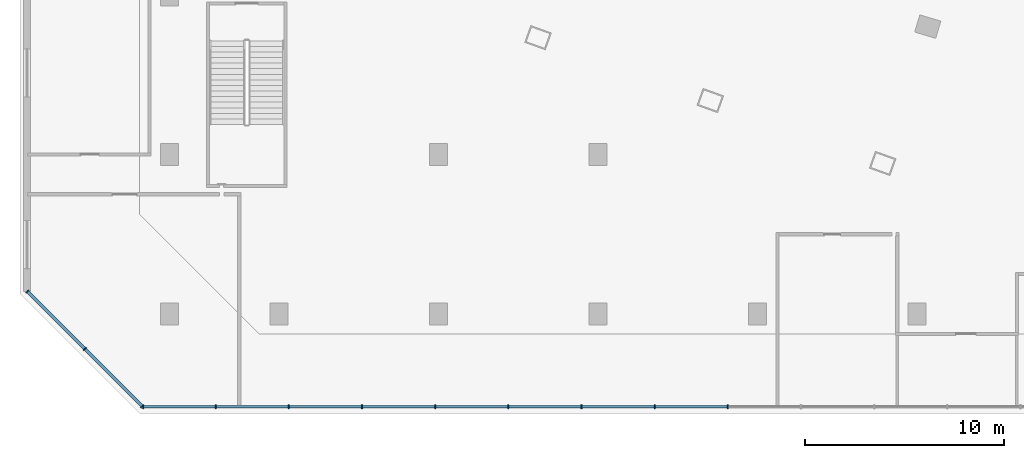
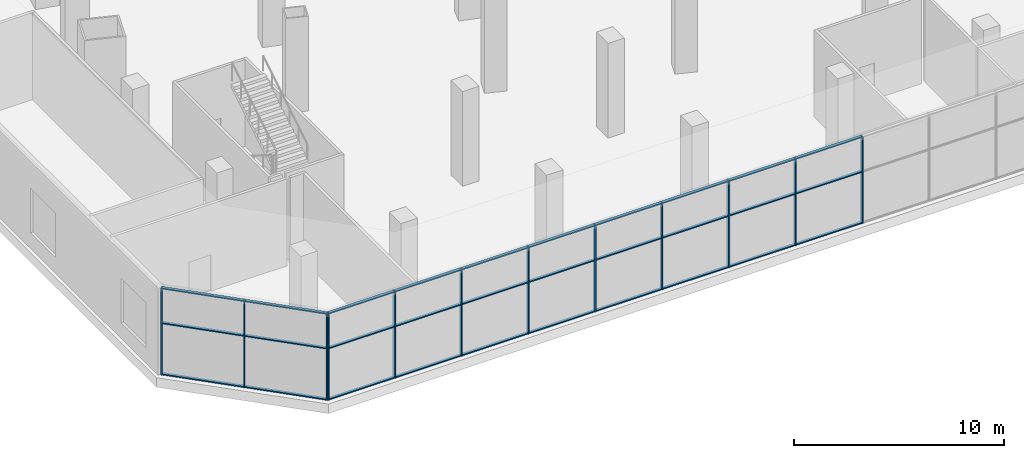
# One storey, part 2 of 26: 42 members, 2 elements without a shape of their own.
"""IFC4 building model written with IfcOpenShell, lengths in metres."""

from ifc_helpers import new_model, si_unit, direction, frame, origin, origin_2d, place, context, subcontext, project, spatial, rectangle, extrude, material, layer, layer_set, material_profile, profile_set, type_object, element, aggregate, save


model = new_model("IFC4")

# Units and contexts
model_context = context("Model", 3, precision=1e-05, world=origin(), true_north=direction((0.0, 1.0)))
body_context = subcontext(model_context, "Body", "Model", "MODEL_VIEW")
ifc_project = project(units=[si_unit("LENGTHUNIT", "METRE"), si_unit("AREAUNIT", "SQUARE_METRE"), si_unit("VOLUMEUNIT", "CUBIC_METRE"), si_unit("PLANEANGLEUNIT", "RADIAN"), si_unit("MASSUNIT", "GRAM", prefix="KILO")], contexts=[model_context])

# Site, building, storey
site_placement = place(None, origin())
site = spatial("IfcSite", under=ifc_project, at=site_placement, CompositionType="ELEMENT")
building_placement = place(site_placement, origin())
building = spatial("IfcBuilding", under=site, at=building_placement, Name="Alderwake Tower", CompositionType="ELEMENT")
storey_placement = place(building_placement, frame((0.0, 0.0, 8.0)))
storey = spatial("IfcBuildingStorey", under=building, at=storey_placement, Name="L01", CompositionType="ELEMENT", Elevation=8.0)

# Curtain wall, members
ifc_material_1 = material(Name="Bronze tinted glass in aluminium frame", Category="aluminium")
ifc_layer = layer(ifc_material_1, 0.25)
ifc_layer_set = layer_set([ifc_layer], Name="Curtain wall CW1 podium shopfront")
curtain_wall_type = type_object("IfcCurtainWallType", Name="Curtain wall CW1 podium shopfront", PredefinedType="NOTDEFINED", material=ifc_layer_set)
curtain_wall_1_placement = place(storey_placement, origin())
curtain_wall_1 = element("IfcCurtainWall", 1, at=curtain_wall_1_placement, inside=storey, type_object=curtain_wall_type, Name="Curtain wall 1", PredefinedType="NOTDEFINED")
ifc_material_2 = material(Name="Aluminium bronze anodised", Category="aluminium")
ifc_material_profile_1 = material_profile(ifc_material_2, rectangle(XDim=0.199951171875, YDim=0.06005859375, at=origin_2d()), Name="Mullion MUA 60x200")
ifc_profile_set_1 = profile_set([ifc_material_profile_1], Name="Aluminium bronze anodised")
member_type_1 = type_object("IfcMemberType", Name="Mullion MUA 60x200", PredefinedType="MULLION", material=ifc_profile_set_1)
member_1_placement = place(storey_placement, frame((9.175048828125, 3.35009765625, 0.0), z_axis=(0.0, 0.0, 1.0), x_axis=(0.0, 1.0, 0.0)))
member_1 = element("IfcMember", 2, at=member_1_placement, type_object=member_type_1, Name="CW.01 mullion 1", PredefinedType="MULLION", context=body_context, shape_type="SweptSolid", body=[
    extrude(rectangle(XDim=0.199951171875, YDim=0.06005859375, at=origin_2d()), origin(), (0.0, 0.0, 1.0), 5.050048828125),
])
member_2_placement = place(storey_placement, frame((12.814697265625, 3.35009765625, 0.0), z_axis=(0.0, 0.0, 1.0), x_axis=(0.0, 1.0, 0.0)))
member_2 = element("IfcMember", 3, at=member_2_placement, type_object=member_type_1, Name="CW.01 mullion 2", PredefinedType="MULLION", context=body_context, shape_type="SweptSolid", body=[
    extrude(rectangle(XDim=0.199951171875, YDim=0.06005859375, at=origin_2d()), origin(), (0.0, 0.0, 1.0), 5.050048828125),
])
member_3_placement = place(storey_placement, frame((16.484375, 3.35009765625, 0.0), z_axis=(0.0, 0.0, 1.0), x_axis=(0.0, 1.0, 0.0)))
member_3 = element("IfcMember", 4, at=member_3_placement, type_object=member_type_1, Name="CW.01 mullion 3", PredefinedType="MULLION", context=body_context, shape_type="SweptSolid", body=[
    extrude(rectangle(XDim=0.199951171875, YDim=0.06005859375, at=origin_2d()), origin(), (0.0, 0.0, 1.0), 5.050048828125),
])
member_4_placement = place(storey_placement, frame((20.154296875, 3.35009765625, 0.0), z_axis=(0.0, 0.0, 1.0), x_axis=(0.0, 1.0, 0.0)))
member_4 = element("IfcMember", 5, at=member_4_placement, type_object=member_type_1, Name="CW.01 mullion 4", PredefinedType="MULLION", context=body_context, shape_type="SweptSolid", body=[
    extrude(rectangle(XDim=0.199951171875, YDim=0.06005859375, at=origin_2d()), origin(), (0.0, 0.0, 1.0), 5.050048828125),
])
member_5_placement = place(storey_placement, frame((23.823974609375, 3.35009765625, 0.0), z_axis=(0.0, 0.0, 1.0), x_axis=(0.0, 1.0, 0.0)))
member_5 = element("IfcMember", 6, at=member_5_placement, type_object=member_type_1, Name="CW.01 mullion 5", PredefinedType="MULLION", context=body_context, shape_type="SweptSolid", body=[
    extrude(rectangle(XDim=0.199951171875, YDim=0.06005859375, at=origin_2d()), origin(), (0.0, 0.0, 1.0), 5.050048828125),
])
member_6_placement = place(storey_placement, frame((27.49365234375, 3.35009765625, 0.0), z_axis=(0.0, 0.0, 1.0), x_axis=(0.0, 1.0, 0.0)))
member_6 = element("IfcMember", 7, at=member_6_placement, type_object=member_type_1, Name="CW.01 mullion 6", PredefinedType="MULLION", context=body_context, shape_type="SweptSolid", body=[
    extrude(rectangle(XDim=0.199951171875, YDim=0.06005859375, at=origin_2d()), origin(), (0.0, 0.0, 1.0), 5.050048828125),
])
member_7_placement = place(storey_placement, frame((31.163330078125, 3.35009765625, 0.0), z_axis=(0.0, 0.0, 1.0), x_axis=(0.0, 1.0, 0.0)))
member_7 = element("IfcMember", 8, at=member_7_placement, type_object=member_type_1, Name="CW.01 mullion 7", PredefinedType="MULLION", context=body_context, shape_type="SweptSolid", body=[
    extrude(rectangle(XDim=0.199951171875, YDim=0.06005859375, at=origin_2d()), origin(), (0.0, 0.0, 1.0), 5.050048828125),
])
member_8_placement = place(storey_placement, frame((34.833251953125, 3.35009765625, 0.0), z_axis=(0.0, 0.0, 1.0), x_axis=(0.0, 1.0, 0.0)))
member_8 = element("IfcMember", 9, at=member_8_placement, type_object=member_type_1, Name="CW.01 mullion 8", PredefinedType="MULLION", context=body_context, shape_type="SweptSolid", body=[
    extrude(rectangle(XDim=0.199951171875, YDim=0.06005859375, at=origin_2d()), origin(), (0.0, 0.0, 1.0), 5.050048828125),
])
member_9_placement = place(storey_placement, frame((38.5029296875, 3.35009765625, 0.0), z_axis=(0.0, 0.0, 1.0), x_axis=(0.0, 1.0, 0.0)))
member_9 = element("IfcMember", 10, at=member_9_placement, type_object=member_type_1, Name="CW.01 mullion 9", PredefinedType="MULLION", context=body_context, shape_type="SweptSolid", body=[
    extrude(rectangle(XDim=0.199951171875, YDim=0.06005859375, at=origin_2d()), origin(), (0.0, 0.0, 1.0), 5.050048828125),
])

curtain_wall_2_placement = place(storey_placement, origin())
curtain_wall_2 = element("IfcCurtainWall", 11, at=curtain_wall_2_placement, inside=storey, type_object=curtain_wall_type, Name="Curtain wall 17", PredefinedType="NOTDEFINED")
member_10_placement = place(storey_placement, frame((3.37109375, 9.123779296875, 0.0), z_axis=(0.0, 0.0, 1.0), x_axis=(0.707106781187, 0.707106781187, 0.0)))
member_10 = element("IfcMember", 12, at=member_10_placement, type_object=member_type_1, Name="CW.17 mullion 1", PredefinedType="MULLION", context=body_context, shape_type="SweptSolid", body=[
    extrude(rectangle(XDim=0.199951171875, YDim=0.06005859375, at=origin_2d()), origin(), (0.0, 0.0, 1.0), 5.050048828125),
])
member_11_placement = place(storey_placement, frame((6.252685546875, 6.2421875, 0.0), z_axis=(0.0, 0.0, 1.0), x_axis=(0.707106781187, 0.707106781187, 0.0)))
member_11 = element("IfcMember", 13, at=member_11_placement, type_object=member_type_1, Name="CW.17 mullion 2", PredefinedType="MULLION", context=body_context, shape_type="SweptSolid", body=[
    extrude(rectangle(XDim=0.199951171875, YDim=0.06005859375, at=origin_2d()), origin(), (0.0, 0.0, 1.0), 5.050048828125),
])
member_12_placement = place(storey_placement, frame((9.13427734375, 3.360595703125, 0.0), z_axis=(0.0, 0.0, 1.0), x_axis=(0.707106781187, 0.707106781187, 0.0)))
member_12 = element("IfcMember", 14, at=member_12_placement, type_object=member_type_1, Name="CW.17 mullion 3", PredefinedType="MULLION", context=body_context, shape_type="SweptSolid", body=[
    extrude(rectangle(XDim=0.199951171875, YDim=0.06005859375, at=origin_2d()), origin(), (0.0, 0.0, 1.0), 5.050048828125),
])

# Member
ifc_material_3 = material(Name="Aluminium bronze anodised", Category="aluminium")
ifc_material_profile_2 = material_profile(ifc_material_3, rectangle(XDim=0.159912109375, YDim=0.06005859375, at=origin_2d()), Name="Transom TRA 60x160")
ifc_profile_set_2 = profile_set([ifc_material_profile_2], Name="Aluminium bronze anodised")
member_type_2 = type_object("IfcMemberType", Name="Transom TRA 60x160", PredefinedType="USERDEFINED", material=ifc_profile_set_2)
member_13_placement = place(storey_placement, frame((9.205078125, 3.35009765625, 0.030029296875), z_axis=(1.0, 0.0, 0.0), x_axis=(0.0, 1.0, 0.0)))
member_13 = element("IfcMember", 15, at=member_13_placement, type_object=member_type_2, Name="CW.01 transom 1.1", ObjectType="TRANSOM", PredefinedType="USERDEFINED", context=body_context, shape_type="SweptSolid", body=[
    extrude(rectangle(XDim=0.159912109375, YDim=0.06005859375, at=origin_2d()), origin(), (0.0, 0.0, 1.0), 3.57958984375),
])

member_14_placement = place(storey_placement, frame((9.205078125, 3.35009765625, 3.0), z_axis=(1.0, 0.0, 0.0), x_axis=(0.0, 1.0, 0.0)))
member_14 = element("IfcMember", 16, at=member_14_placement, type_object=member_type_2, Name="CW.01 transom 1.2", ObjectType="TRANSOM", PredefinedType="USERDEFINED", context=body_context, shape_type="SweptSolid", body=[
    extrude(rectangle(XDim=0.159912109375, YDim=0.06005859375, at=origin_2d()), origin(), (0.0, 0.0, 1.0), 3.57958984375),
])

member_15_placement = place(storey_placement, frame((9.205078125, 3.35009765625, 5.02001953125), z_axis=(1.0, 0.0, 0.0), x_axis=(0.0, 1.0, 0.0)))
member_15 = element("IfcMember", 17, at=member_15_placement, type_object=member_type_2, Name="CW.01 transom 1.3", ObjectType="TRANSOM", PredefinedType="USERDEFINED", context=body_context, shape_type="SweptSolid", body=[
    extrude(rectangle(XDim=0.159912109375, YDim=0.06005859375, at=origin_2d()), origin(), (0.0, 0.0, 1.0), 3.57958984375),
])

member_16_placement = place(storey_placement, frame((12.8447265625, 3.35009765625, 0.030029296875), z_axis=(1.0, 0.0, 0.0), x_axis=(0.0, 1.0, 0.0)))
member_16 = element("IfcMember", 18, at=member_16_placement, type_object=member_type_2, Name="CW.01 transom 2.1", ObjectType="TRANSOM", PredefinedType="USERDEFINED", context=body_context, shape_type="SweptSolid", body=[
    extrude(rectangle(XDim=0.159912109375, YDim=0.06005859375, at=origin_2d()), origin(), (0.0, 0.0, 1.0), 3.60986328125),
])

member_17_placement = place(storey_placement, frame((12.8447265625, 3.35009765625, 3.0), z_axis=(1.0, 0.0, 0.0), x_axis=(0.0, 1.0, 0.0)))
member_17 = element("IfcMember", 19, at=member_17_placement, type_object=member_type_2, Name="CW.01 transom 2.2", ObjectType="TRANSOM", PredefinedType="USERDEFINED", context=body_context, shape_type="SweptSolid", body=[
    extrude(rectangle(XDim=0.159912109375, YDim=0.06005859375, at=origin_2d()), origin(), (0.0, 0.0, 1.0), 3.60986328125),
])

member_18_placement = place(storey_placement, frame((12.8447265625, 3.35009765625, 5.02001953125), z_axis=(1.0, 0.0, 0.0), x_axis=(0.0, 1.0, 0.0)))
member_18 = element("IfcMember", 20, at=member_18_placement, type_object=member_type_2, Name="CW.01 transom 2.3", ObjectType="TRANSOM", PredefinedType="USERDEFINED", context=body_context, shape_type="SweptSolid", body=[
    extrude(rectangle(XDim=0.159912109375, YDim=0.06005859375, at=origin_2d()), origin(), (0.0, 0.0, 1.0), 3.60986328125),
])

member_19_placement = place(storey_placement, frame((16.514404296875, 3.35009765625, 0.030029296875), z_axis=(1.0, 0.0, 0.0), x_axis=(0.0, 1.0, 0.0)))
member_19 = element("IfcMember", 21, at=member_19_placement, type_object=member_type_2, Name="CW.01 transom 3.1", ObjectType="TRANSOM", PredefinedType="USERDEFINED", context=body_context, shape_type="SweptSolid", body=[
    extrude(rectangle(XDim=0.159912109375, YDim=0.06005859375, at=origin_2d()), origin(), (0.0, 0.0, 1.0), 3.60986328125),
])

member_20_placement = place(storey_placement, frame((16.514404296875, 3.35009765625, 3.0), z_axis=(1.0, 0.0, 0.0), x_axis=(0.0, 1.0, 0.0)))
member_20 = element("IfcMember", 22, at=member_20_placement, type_object=member_type_2, Name="CW.01 transom 3.2", ObjectType="TRANSOM", PredefinedType="USERDEFINED", context=body_context, shape_type="SweptSolid", body=[
    extrude(rectangle(XDim=0.159912109375, YDim=0.06005859375, at=origin_2d()), origin(), (0.0, 0.0, 1.0), 3.60986328125),
])

member_21_placement = place(storey_placement, frame((16.514404296875, 3.35009765625, 5.02001953125), z_axis=(1.0, 0.0, 0.0), x_axis=(0.0, 1.0, 0.0)))
member_21 = element("IfcMember", 23, at=member_21_placement, type_object=member_type_2, Name="CW.01 transom 3.3", ObjectType="TRANSOM", PredefinedType="USERDEFINED", context=body_context, shape_type="SweptSolid", body=[
    extrude(rectangle(XDim=0.159912109375, YDim=0.06005859375, at=origin_2d()), origin(), (0.0, 0.0, 1.0), 3.60986328125),
])

member_22_placement = place(storey_placement, frame((20.184326171875, 3.35009765625, 0.030029296875), z_axis=(1.0, 0.0, 0.0), x_axis=(0.0, 1.0, 0.0)))
member_22 = element("IfcMember", 24, at=member_22_placement, type_object=member_type_2, Name="CW.01 transom 4.1", ObjectType="TRANSOM", PredefinedType="USERDEFINED", context=body_context, shape_type="SweptSolid", body=[
    extrude(rectangle(XDim=0.159912109375, YDim=0.06005859375, at=origin_2d()), origin(), (0.0, 0.0, 1.0), 3.609619140625),
])

member_23_placement = place(storey_placement, frame((20.184326171875, 3.35009765625, 3.0), z_axis=(1.0, 0.0, 0.0), x_axis=(0.0, 1.0, 0.0)))
member_23 = element("IfcMember", 25, at=member_23_placement, type_object=member_type_2, Name="CW.01 transom 4.2", ObjectType="TRANSOM", PredefinedType="USERDEFINED", context=body_context, shape_type="SweptSolid", body=[
    extrude(rectangle(XDim=0.159912109375, YDim=0.06005859375, at=origin_2d()), origin(), (0.0, 0.0, 1.0), 3.609619140625),
])

member_24_placement = place(storey_placement, frame((20.184326171875, 3.35009765625, 5.02001953125), z_axis=(1.0, 0.0, 0.0), x_axis=(0.0, 1.0, 0.0)))
member_24 = element("IfcMember", 26, at=member_24_placement, type_object=member_type_2, Name="CW.01 transom 4.3", ObjectType="TRANSOM", PredefinedType="USERDEFINED", context=body_context, shape_type="SweptSolid", body=[
    extrude(rectangle(XDim=0.159912109375, YDim=0.06005859375, at=origin_2d()), origin(), (0.0, 0.0, 1.0), 3.609619140625),
])

member_25_placement = place(storey_placement, frame((23.85400390625, 3.35009765625, 0.030029296875), z_axis=(1.0, 0.0, 0.0), x_axis=(0.0, 1.0, 0.0)))
member_25 = element("IfcMember", 27, at=member_25_placement, type_object=member_type_2, Name="CW.01 transom 5.1", ObjectType="TRANSOM", PredefinedType="USERDEFINED", context=body_context, shape_type="SweptSolid", body=[
    extrude(rectangle(XDim=0.159912109375, YDim=0.06005859375, at=origin_2d()), origin(), (0.0, 0.0, 1.0), 3.609619140625),
])

member_26_placement = place(storey_placement, frame((23.85400390625, 3.35009765625, 3.0), z_axis=(1.0, 0.0, 0.0), x_axis=(0.0, 1.0, 0.0)))
member_26 = element("IfcMember", 28, at=member_26_placement, type_object=member_type_2, Name="CW.01 transom 5.2", ObjectType="TRANSOM", PredefinedType="USERDEFINED", context=body_context, shape_type="SweptSolid", body=[
    extrude(rectangle(XDim=0.159912109375, YDim=0.06005859375, at=origin_2d()), origin(), (0.0, 0.0, 1.0), 3.609619140625),
])

member_27_placement = place(storey_placement, frame((23.85400390625, 3.35009765625, 5.02001953125), z_axis=(1.0, 0.0, 0.0), x_axis=(0.0, 1.0, 0.0)))
member_27 = element("IfcMember", 29, at=member_27_placement, type_object=member_type_2, Name="CW.01 transom 5.3", ObjectType="TRANSOM", PredefinedType="USERDEFINED", context=body_context, shape_type="SweptSolid", body=[
    extrude(rectangle(XDim=0.159912109375, YDim=0.06005859375, at=origin_2d()), origin(), (0.0, 0.0, 1.0), 3.609619140625),
])

member_28_placement = place(storey_placement, frame((27.523681640625, 3.35009765625, 0.030029296875), z_axis=(1.0, 0.0, 0.0), x_axis=(0.0, 1.0, 0.0)))
member_28 = element("IfcMember", 30, at=member_28_placement, type_object=member_type_2, Name="CW.01 transom 6.1", ObjectType="TRANSOM", PredefinedType="USERDEFINED", context=body_context, shape_type="SweptSolid", body=[
    extrude(rectangle(XDim=0.159912109375, YDim=0.06005859375, at=origin_2d()), origin(), (0.0, 0.0, 1.0), 3.609619140625),
])

member_29_placement = place(storey_placement, frame((27.523681640625, 3.35009765625, 3.0), z_axis=(1.0, 0.0, 0.0), x_axis=(0.0, 1.0, 0.0)))
member_29 = element("IfcMember", 31, at=member_29_placement, type_object=member_type_2, Name="CW.01 transom 6.2", ObjectType="TRANSOM", PredefinedType="USERDEFINED", context=body_context, shape_type="SweptSolid", body=[
    extrude(rectangle(XDim=0.159912109375, YDim=0.06005859375, at=origin_2d()), origin(), (0.0, 0.0, 1.0), 3.609619140625),
])

member_30_placement = place(storey_placement, frame((27.523681640625, 3.35009765625, 5.02001953125), z_axis=(1.0, 0.0, 0.0), x_axis=(0.0, 1.0, 0.0)))
member_30 = element("IfcMember", 32, at=member_30_placement, type_object=member_type_2, Name="CW.01 transom 6.3", ObjectType="TRANSOM", PredefinedType="USERDEFINED", context=body_context, shape_type="SweptSolid", body=[
    extrude(rectangle(XDim=0.159912109375, YDim=0.06005859375, at=origin_2d()), origin(), (0.0, 0.0, 1.0), 3.609619140625),
])

member_31_placement = place(storey_placement, frame((31.193359375, 3.35009765625, 0.030029296875), z_axis=(1.0, 0.0, 0.0), x_axis=(0.0, 1.0, 0.0)))
member_31 = element("IfcMember", 33, at=member_31_placement, type_object=member_type_2, Name="CW.01 transom 7.1", ObjectType="TRANSOM", PredefinedType="USERDEFINED", context=body_context, shape_type="SweptSolid", body=[
    extrude(rectangle(XDim=0.159912109375, YDim=0.06005859375, at=origin_2d()), origin(), (0.0, 0.0, 1.0), 3.60986328125),
])

member_32_placement = place(storey_placement, frame((31.193359375, 3.35009765625, 3.0), z_axis=(1.0, 0.0, 0.0), x_axis=(0.0, 1.0, 0.0)))
member_32 = element("IfcMember", 34, at=member_32_placement, type_object=member_type_2, Name="CW.01 transom 7.2", ObjectType="TRANSOM", PredefinedType="USERDEFINED", context=body_context, shape_type="SweptSolid", body=[
    extrude(rectangle(XDim=0.159912109375, YDim=0.06005859375, at=origin_2d()), origin(), (0.0, 0.0, 1.0), 3.60986328125),
])

member_33_placement = place(storey_placement, frame((31.193359375, 3.35009765625, 5.02001953125), z_axis=(1.0, 0.0, 0.0), x_axis=(0.0, 1.0, 0.0)))
member_33 = element("IfcMember", 35, at=member_33_placement, type_object=member_type_2, Name="CW.01 transom 7.3", ObjectType="TRANSOM", PredefinedType="USERDEFINED", context=body_context, shape_type="SweptSolid", body=[
    extrude(rectangle(XDim=0.159912109375, YDim=0.06005859375, at=origin_2d()), origin(), (0.0, 0.0, 1.0), 3.60986328125),
])

member_34_placement = place(storey_placement, frame((34.863037109375, 3.35009765625, 0.030029296875), z_axis=(1.0, 0.0, 0.0), x_axis=(0.0, 1.0, 0.0)))
member_34 = element("IfcMember", 36, at=member_34_placement, type_object=member_type_2, Name="CW.01 transom 8.1", ObjectType="TRANSOM", PredefinedType="USERDEFINED", context=body_context, shape_type="SweptSolid", body=[
    extrude(rectangle(XDim=0.159912109375, YDim=0.06005859375, at=origin_2d()), origin(), (0.0, 0.0, 1.0), 3.60986328125),
])

member_35_placement = place(storey_placement, frame((34.863037109375, 3.35009765625, 3.0), z_axis=(1.0, 0.0, 0.0), x_axis=(0.0, 1.0, 0.0)))
member_35 = element("IfcMember", 37, at=member_35_placement, type_object=member_type_2, Name="CW.01 transom 8.2", ObjectType="TRANSOM", PredefinedType="USERDEFINED", context=body_context, shape_type="SweptSolid", body=[
    extrude(rectangle(XDim=0.159912109375, YDim=0.06005859375, at=origin_2d()), origin(), (0.0, 0.0, 1.0), 3.60986328125),
])

member_36_placement = place(storey_placement, frame((34.863037109375, 3.35009765625, 5.02001953125), z_axis=(1.0, 0.0, 0.0), x_axis=(0.0, 1.0, 0.0)))
member_36 = element("IfcMember", 38, at=member_36_placement, type_object=member_type_2, Name="CW.01 transom 8.3", ObjectType="TRANSOM", PredefinedType="USERDEFINED", context=body_context, shape_type="SweptSolid", body=[
    extrude(rectangle(XDim=0.159912109375, YDim=0.06005859375, at=origin_2d()), origin(), (0.0, 0.0, 1.0), 3.60986328125),
])

aggregate(curtain_wall_1, [member_1, member_2, member_3, member_4, member_5, member_6, member_7, member_8, member_9, member_13, member_14, member_15, member_16, member_17, member_18, member_19, member_20, member_21, member_22, member_23, member_24, member_25, member_26, member_27, member_28, member_29, member_30, member_31, member_32, member_33, member_34, member_35, member_36])

member_37_placement = place(storey_placement, frame((3.392333984375, 9.1025390625, 0.030029296875), z_axis=(0.70713718196, -0.707076379106, 0.0), x_axis=(0.707076379106, 0.70713718196, 0.0)))
member_37 = element("IfcMember", 39, at=member_37_placement, type_object=member_type_2, Name="CW.17 transom 1.1", ObjectType="TRANSOM", PredefinedType="USERDEFINED", context=body_context, shape_type="SweptSolid", body=[
    extrude(rectangle(XDim=0.159912109375, YDim=0.06005859375, at=origin_2d()), origin(), (0.0, 0.0, 1.0), 4.015380859375),
])

member_38_placement = place(storey_placement, frame((3.392333984375, 9.1025390625, 3.0), z_axis=(0.70713718196, -0.707076379106, 0.0), x_axis=(0.707076379106, 0.70713718196, 0.0)))
member_38 = element("IfcMember", 40, at=member_38_placement, type_object=member_type_2, Name="CW.17 transom 1.2", ObjectType="TRANSOM", PredefinedType="USERDEFINED", context=body_context, shape_type="SweptSolid", body=[
    extrude(rectangle(XDim=0.159912109375, YDim=0.06005859375, at=origin_2d()), origin(), (0.0, 0.0, 1.0), 4.015380859375),
])

member_39_placement = place(storey_placement, frame((3.392333984375, 9.1025390625, 5.02001953125), z_axis=(0.70713718196, -0.707076379106, 0.0), x_axis=(0.707076379106, 0.70713718196, 0.0)))
member_39 = element("IfcMember", 41, at=member_39_placement, type_object=member_type_2, Name="CW.17 transom 1.3", ObjectType="TRANSOM", PredefinedType="USERDEFINED", context=body_context, shape_type="SweptSolid", body=[
    extrude(rectangle(XDim=0.159912109375, YDim=0.06005859375, at=origin_2d()), origin(), (0.0, 0.0, 1.0), 4.015380859375),
])

member_40_placement = place(storey_placement, frame((6.27392578125, 6.220947265625, 0.030029296875), z_axis=(0.70713718196, -0.707076379106, 0.0), x_axis=(0.707076379106, 0.70713718196, 0.0)))
member_40 = element("IfcMember", 42, at=member_40_placement, type_object=member_type_2, Name="CW.17 transom 2.1", ObjectType="TRANSOM", PredefinedType="USERDEFINED", context=body_context, shape_type="SweptSolid", body=[
    extrude(rectangle(XDim=0.159912109375, YDim=0.06005859375, at=origin_2d()), origin(), (0.0, 0.0, 1.0), 4.015380859375),
])

member_41_placement = place(storey_placement, frame((6.27392578125, 6.220947265625, 3.0), z_axis=(0.70713718196, -0.707076379106, 0.0), x_axis=(0.707076379106, 0.70713718196, 0.0)))
member_41 = element("IfcMember", 43, at=member_41_placement, type_object=member_type_2, Name="CW.17 transom 2.2", ObjectType="TRANSOM", PredefinedType="USERDEFINED", context=body_context, shape_type="SweptSolid", body=[
    extrude(rectangle(XDim=0.159912109375, YDim=0.06005859375, at=origin_2d()), origin(), (0.0, 0.0, 1.0), 4.015380859375),
])

member_42_placement = place(storey_placement, frame((6.27392578125, 6.220947265625, 5.02001953125), z_axis=(0.70713718196, -0.707076379106, 0.0), x_axis=(0.707076379106, 0.70713718196, 0.0)))
member_42 = element("IfcMember", 44, at=member_42_placement, type_object=member_type_2, Name="CW.17 transom 2.3", ObjectType="TRANSOM", PredefinedType="USERDEFINED", context=body_context, shape_type="SweptSolid", body=[
    extrude(rectangle(XDim=0.159912109375, YDim=0.06005859375, at=origin_2d()), origin(), (0.0, 0.0, 1.0), 4.015380859375),
])

aggregate(curtain_wall_2, [member_10, member_11, member_12, member_37, member_38, member_39, member_40, member_41, member_42])

save(model, "model.ifc")
